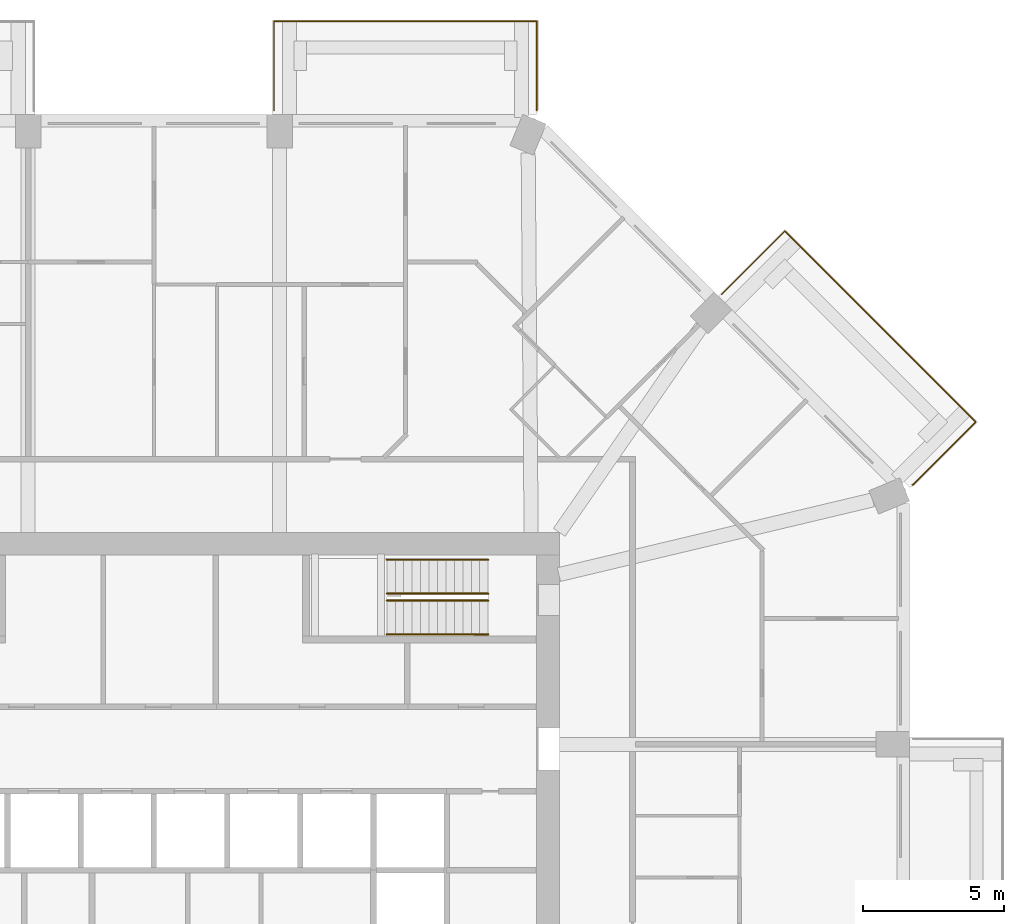
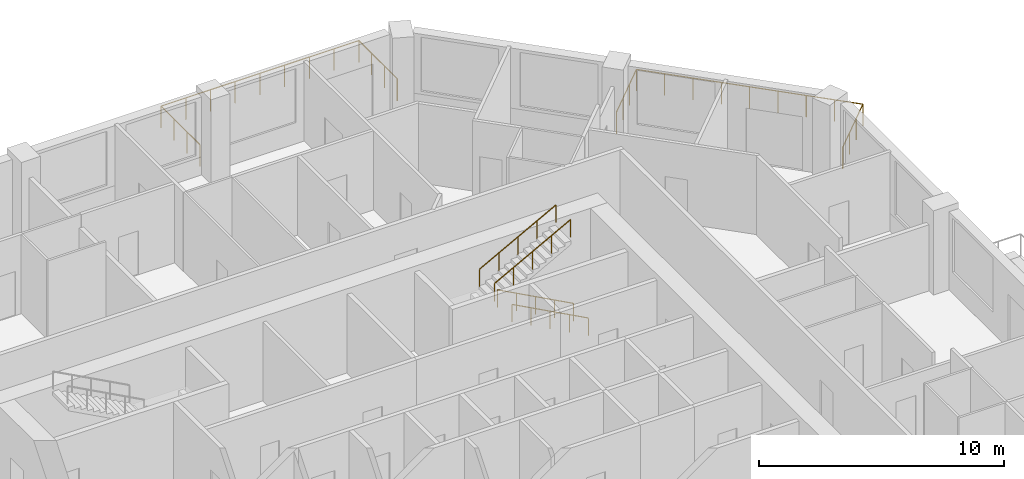
# One storey, part 13 of 13: 6 railings.
"""IFC4 building model written with IfcOpenShell, lengths in metres."""

from ifc_helpers import new_model, si_unit, direction, frame, origin, origin_2d, place, context, subcontext, project, spatial, circle, extrude, material, constituent, constituent_set, type_object, element, save


model = new_model("IFC4")

# Units and contexts
model_context = context("Model", 3, precision=1e-05, world=origin(), true_north=direction((0.0, 1.0)))
body_context = subcontext(model_context, "Body", "Model", "MODEL_VIEW")
ifc_project = project(units=[si_unit("LENGTHUNIT", "METRE"), si_unit("AREAUNIT", "SQUARE_METRE"), si_unit("VOLUMEUNIT", "CUBIC_METRE"), si_unit("PLANEANGLEUNIT", "RADIAN"), si_unit("MASSUNIT", "GRAM", prefix="KILO")], contexts=[model_context])

# Site, building, storey
site_placement = place(None, origin())
site = spatial("IfcSite", under=ifc_project, at=site_placement, CompositionType="ELEMENT")
building_placement = place(site_placement, origin())
building = spatial("IfcBuilding", under=site, at=building_placement, Name="Msitu Wima Residences", CompositionType="ELEMENT")
storey_placement = place(building_placement, frame((0.0, 0.0, 110.699951171875)))
storey = spatial("IfcBuildingStorey", under=building, at=storey_placement, Name="L25", CompositionType="ELEMENT", Elevation=110.699951171875)

# Railings
ifc_material_1 = material(Name="Steel S355", Category="steel")
ifc_constituent_1 = constituent(ifc_material_1, Name="Steel S355")
ifc_material_2 = material(Name="Weathering patina")
ifc_constituent_2 = constituent(ifc_material_2, Name="Weathering patina")
ifc_constituent_set_1 = constituent_set(constituents=[ifc_constituent_1, ifc_constituent_2], Name="Steel S355")
railing_type_1 = type_object("IfcRailingType", Name="Balcony guard GR1100", PredefinedType="GUARDRAIL", material=ifc_constituent_set_1)
railing_1_placement = place(storey_placement, frame((20.171630859375, 20.45458984375, 0.0)))
element("IfcRailing", 1, at=railing_1_placement, inside=storey, type_object=railing_type_1, Name="Balcony guard NE0 L25", PredefinedType="GUARDRAIL", context=body_context, shape_type="SweptSolid", body=[
    extrude(circle(Radius=0.02392578125, at=origin_2d()), frame((0.0, 0.0, 1.076171875), z_axis=(0.707106781187, 0.707106781187, 0.0), x_axis=(-0.707106781187, 0.707106781187, 0.0)), (0.0, 0.0, 1.0), 3.169921875),
    extrude(circle(Radius=0.02392578125, at=origin_2d()), frame((2.241455078125, 2.241455078125, 1.076171875), z_axis=(0.707106781187, -0.707106781187, 0.0), x_axis=(0.707106781187, 0.707106781187, 0.0)), (0.0, 0.0, 1.0), 9.58837890625),
    extrude(circle(Radius=0.02392578125, at=origin_2d()), frame((9.021484375, -4.53857421875, 1.076171875), z_axis=(-0.707106781187, -0.707106781187, 0.0), x_axis=(0.707106781187, -0.707106781187, 0.0)), (0.0, 0.0, 1.0), 3.136474609375),
    extrude(circle(Radius=0.02392578125, at=origin_2d()), frame((6.8037109375, -6.75634765625, 1.076171875), z_axis=(-0.92426142649, -0.38176015442, 0.0), x_axis=(0.38176015442, -0.92426142649, 0.0)), (0.0, 0.0, 1.0), 0.036376953125),
    extrude(circle(Radius=0.02099609375, at=origin_2d()), origin(), (0.0, 0.0, 1.0), 1.052001953125),
    extrude(circle(Radius=0.02099609375, at=origin_2d()), frame((0.7470703125, 0.7470703125, 0.0)), (0.0, 0.0, 1.0), 1.052001953125),
    extrude(circle(Radius=0.02099609375, at=origin_2d()), frame((1.494384765625, 1.494384765625, 0.0)), (0.0, 0.0, 1.0), 1.052001953125),
    extrude(circle(Radius=0.02099609375, at=origin_2d()), frame((2.241455078125, 2.241455078125, 0.0)), (0.0, 0.0, 1.0), 1.052001953125),
    extrude(circle(Radius=0.02099609375, at=origin_2d()), frame((3.0888671875, 1.39404296875, 0.0)), (0.0, 0.0, 1.0), 1.052001953125),
    extrude(circle(Radius=0.02099609375, at=origin_2d()), frame((3.9365234375, 0.54638671875, 0.0)), (0.0, 0.0, 1.0), 1.052001953125),
    extrude(circle(Radius=0.02099609375, at=origin_2d()), frame((4.783935546875, -0.301025390625, 0.0)), (0.0, 0.0, 1.0), 1.052001953125),
    extrude(circle(Radius=0.02099609375, at=origin_2d()), frame((5.63134765625, -1.1484375, 0.0)), (0.0, 0.0, 1.0), 1.052001953125),
    extrude(circle(Radius=0.02099609375, at=origin_2d()), frame((6.47900390625, -1.99609375, 0.0)), (0.0, 0.0, 1.0), 1.052001953125),
    extrude(circle(Radius=0.02099609375, at=origin_2d()), frame((7.326416015625, -2.843505859375, 0.0)), (0.0, 0.0, 1.0), 1.052001953125),
    extrude(circle(Radius=0.02099609375, at=origin_2d()), frame((8.174072265625, -3.691162109375, 0.0)), (0.0, 0.0, 1.0), 1.052001953125),
    extrude(circle(Radius=0.02099609375, at=origin_2d()), frame((9.021484375, -4.53857421875, 0.0)), (0.0, 0.0, 1.0), 1.052001953125),
    extrude(circle(Radius=0.02099609375, at=origin_2d()), frame((8.2822265625, -5.27783203125, 0.0)), (0.0, 0.0, 1.0), 1.052001953125),
    extrude(circle(Radius=0.02099609375, at=origin_2d()), frame((7.54296875, -6.01708984375, 0.0)), (0.0, 0.0, 1.0), 1.052001953125),
    extrude(circle(Radius=0.02099609375, at=origin_2d()), frame((6.8037109375, -6.75634765625, 0.0)), (0.0, 0.0, 1.0), 1.052001953125),
    extrude(circle(Radius=0.02099609375, at=origin_2d()), frame((6.77001953125, -6.770263671875, 0.0)), (0.0, 0.0, 1.0), 1.052001953125),
])
railing_2_placement = place(storey_placement, frame((4.2685546875, 26.97998046875, 0.0)))
element("IfcRailing", 2, at=railing_2_placement, inside=storey, type_object=railing_type_1, Name="Balcony guard N0 L25", PredefinedType="GUARDRAIL", context=body_context, shape_type="SweptSolid", body=[
    extrude(circle(Radius=0.02392578125, at=origin_2d()), frame((0.0, 0.0, 1.076171875), z_axis=(0.0, 1.0, 0.0), x_axis=(-1.0, 0.0, 0.0)), (0.0, 0.0, 1.0), 3.169921875),
    extrude(circle(Radius=0.02392578125, at=origin_2d()), frame((0.0, 3.169921875, 1.076171875), z_axis=(1.0, 0.0, 0.0), x_axis=(0.0, 1.0, 0.0)), (0.0, 0.0, 1.0), 9.33740234375),
    extrude(circle(Radius=0.02392578125, at=origin_2d()), frame((9.33740234375, 3.169921875, 1.076171875), z_axis=(0.0, -1.0, 0.0), x_axis=(1.0, 0.0, 0.0)), (0.0, 0.0, 1.0), 3.136474609375),
    extrude(circle(Radius=0.02392578125, at=origin_2d()), frame((9.33740234375, 0.033447265625, 1.076171875), z_axis=(-0.384136806859, -0.923276184907, 0.0), x_axis=(0.923276184907, -0.384136806859, 0.0)), (0.0, 0.0, 1.0), 0.0361328125),
    extrude(circle(Radius=0.02099609375, at=origin_2d()), origin(), (0.0, 0.0, 1.0), 1.052001953125),
    extrude(circle(Radius=0.02099609375, at=origin_2d()), frame((0.0, 1.056640625, 0.0)), (0.0, 0.0, 1.0), 1.052001953125),
    extrude(circle(Radius=0.02099609375, at=origin_2d()), frame((0.0, 2.11328125, 0.0)), (0.0, 0.0, 1.0), 1.052001953125),
    extrude(circle(Radius=0.02099609375, at=origin_2d()), frame((0.0, 3.169921875, 0.0)), (0.0, 0.0, 1.0), 1.052001953125),
    extrude(circle(Radius=0.02099609375, at=origin_2d()), frame((1.167236328125, 3.169921875, 0.0)), (0.0, 0.0, 1.0), 1.052001953125),
    extrude(circle(Radius=0.02099609375, at=origin_2d()), frame((2.33447265625, 3.169921875, 0.0)), (0.0, 0.0, 1.0), 1.052001953125),
    extrude(circle(Radius=0.02099609375, at=origin_2d()), frame((3.50146484375, 3.169921875, 0.0)), (0.0, 0.0, 1.0), 1.052001953125),
    extrude(circle(Radius=0.02099609375, at=origin_2d()), frame((4.668701171875, 3.169921875, 0.0)), (0.0, 0.0, 1.0), 1.052001953125),
    extrude(circle(Radius=0.02099609375, at=origin_2d()), frame((5.8359375, 3.169921875, 0.0)), (0.0, 0.0, 1.0), 1.052001953125),
    extrude(circle(Radius=0.02099609375, at=origin_2d()), frame((7.0029296875, 3.169921875, 0.0)), (0.0, 0.0, 1.0), 1.052001953125),
    extrude(circle(Radius=0.02099609375, at=origin_2d()), frame((8.170166015625, 3.169921875, 0.0)), (0.0, 0.0, 1.0), 1.052001953125),
    extrude(circle(Radius=0.02099609375, at=origin_2d()), frame((9.33740234375, 3.169921875, 0.0)), (0.0, 0.0, 1.0), 1.052001953125),
    extrude(circle(Radius=0.02099609375, at=origin_2d()), frame((9.33740234375, 2.12451171875, 0.0)), (0.0, 0.0, 1.0), 1.052001953125),
    extrude(circle(Radius=0.02099609375, at=origin_2d()), frame((9.33740234375, 1.078857421875, 0.0)), (0.0, 0.0, 1.0), 1.052001953125),
    extrude(circle(Radius=0.02099609375, at=origin_2d()), frame((9.33740234375, 0.033447265625, 0.0)), (0.0, 0.0, 1.0), 1.052001953125),
    extrude(circle(Radius=0.02099609375, at=origin_2d()), frame((9.323486328125, 0.0, 0.0)), (0.0, 0.0, 1.0), 1.052001953125),
])
ifc_constituent_3 = constituent(ifc_material_1, Name="Steel S355")
ifc_material_3 = material(Name="Black powder coating")
ifc_constituent_4 = constituent(ifc_material_3, Name="Black powder coating")
ifc_constituent_set_2 = constituent_set(constituents=[ifc_constituent_3, ifc_constituent_4], Name="Steel S355")
railing_type_2 = type_object("IfcRailingType", Name="Stair handrail HR1", PredefinedType="HANDRAIL", material=ifc_constituent_set_2)
for number, where, name in (
    (3, (11.875, 8.375, 0.16162109375), "Stair 3 handrail"),
    (4, (11.875, 9.574951171875, 0.16162109375), "Stair 3 handrail"),
):
    element("IfcRailing", number, at=place(storey_placement, frame(where)), inside=storey, type_object=railing_type_2, Name=name, PredefinedType="HANDRAIL", context=body_context, shape_type="SweptSolid", body=[
        extrude(circle(Radius=0.02392578125, at=origin_2d()), frame((0.0, 0.0, 0.8759765625), z_axis=(-0.880474934443, 0.0, 0.474092701714), x_axis=(0.0, -1.0, 0.0)), (0.0, 0.0, 1.0), 4.0888671875),
        extrude(circle(Radius=0.02099609375, at=origin_2d()), origin(), (0.0, 0.0, 1.0), 0.851806640625),
        extrude(circle(Radius=0.02099609375, at=origin_2d()), frame((-0.89990234375, 0.0, 0.484619140625)), (0.0, 0.0, 1.0), 0.851806640625),
        extrude(circle(Radius=0.02099609375, at=origin_2d()), frame((-1.800048828125, 0.0, 0.96923828125)), (0.0, 0.0, 1.0), 0.851806640625),
        extrude(circle(Radius=0.02099609375, at=origin_2d()), frame((-2.7001953125, 0.0, 1.453857421875)), (0.0, 0.0, 1.0), 0.851806640625),
        extrude(circle(Radius=0.02099609375, at=origin_2d()), frame((-3.60009765625, 0.0, 1.9384765625)), (0.0, 0.0, 1.0), 0.851806640625),
    ])
for number, where, name in (
    (5, (8.27490234375, 9.824951171875, 2.261474609375), "Stair 3 handrail"),
    (6, (8.27490234375, 11.02490234375, 2.261474609375), "Stair 3 handrail"),
):
    element("IfcRailing", number, at=place(storey_placement, frame(where)), inside=storey, type_object=railing_type_2, Name=name, PredefinedType="HANDRAIL", context=body_context, shape_type="SweptSolid", body=[
        extrude(circle(Radius=0.02392578125, at=origin_2d()), frame((0.0, 0.0, 0.8759765625), z_axis=(0.880474934443, 0.0, 0.474092701714), x_axis=(0.0, 1.0, 0.0)), (0.0, 0.0, 1.0), 4.0888671875),
        extrude(circle(Radius=0.02099609375, at=origin_2d()), origin(), (0.0, 0.0, 1.0), 0.851806640625),
        extrude(circle(Radius=0.02099609375, at=origin_2d()), frame((0.89990234375, 0.0, 0.484619140625)), (0.0, 0.0, 1.0), 0.851806640625),
        extrude(circle(Radius=0.02099609375, at=origin_2d()), frame((1.800048828125, 0.0, 0.96923828125)), (0.0, 0.0, 1.0), 0.851806640625),
        extrude(circle(Radius=0.02099609375, at=origin_2d()), frame((2.7001953125, 0.0, 1.453857421875)), (0.0, 0.0, 1.0), 0.851806640625),
        extrude(circle(Radius=0.02099609375, at=origin_2d()), frame((3.60009765625, 0.0, 1.9384765625)), (0.0, 0.0, 1.0), 0.851806640625),
    ])

save(model, "model.ifc")
